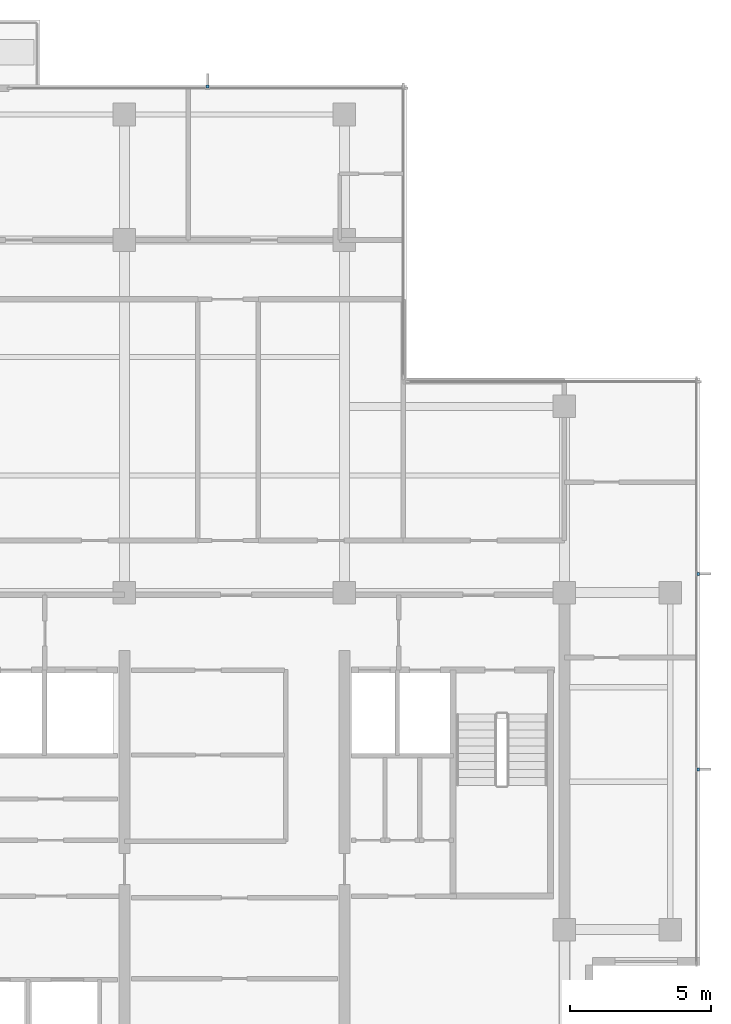
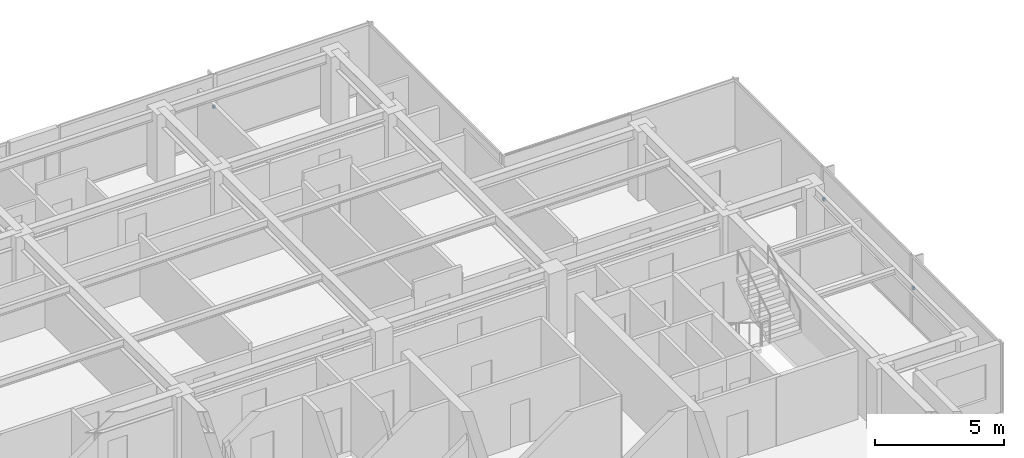
# One storey, part 10 of 11: 3 discrete accessories.
"""IFC4 building model written with IfcOpenShell, lengths in metres."""

from ifc_helpers import new_model, si_unit, direction, frame, origin, place, context, subcontext, project, spatial, polyline, outline, extrude, material, type_object, element, save


model = new_model("IFC4")

# Units and contexts
model_context = context("Model", 3, precision=1e-05, world=origin(), true_north=direction((0.0, 1.0)))
body_context = subcontext(model_context, "Body", "Model", "MODEL_VIEW")
ifc_project = project(units=[si_unit("LENGTHUNIT", "METRE"), si_unit("AREAUNIT", "SQUARE_METRE"), si_unit("VOLUMEUNIT", "CUBIC_METRE"), si_unit("PLANEANGLEUNIT", "RADIAN"), si_unit("MASSUNIT", "GRAM", prefix="KILO")], contexts=[model_context])

# Site, building, storey
site_placement = place(None, origin())
site = spatial("IfcSite", under=ifc_project, at=site_placement, CompositionType="ELEMENT")
building_placement = place(site_placement, origin())
building = spatial("IfcBuilding", under=site, at=building_placement, Name="Qalmaran Belvedere Hotel", CompositionType="ELEMENT")
storey_placement = place(building_placement, frame((0.0, 0.0, 249.39990234375)))
storey = spatial("IfcBuildingStorey", under=building, at=storey_placement, Name="L64", CompositionType="ELEMENT", Elevation=249.39990234375)

# Discrete accessories
ifc_material = material(Name="Stainless Steel 1.4401", Category="steel")
discrete_accessory_type = type_object("IfcDiscreteAccessoryType", Name="BRK-FIN-SS316", PredefinedType="BRACKET", material=ifc_material)
discrete_accessory_1_placement = place(storey_placement, frame((0.0, 0.0, 1.580078125)))
element("IfcDiscreteAccessory", 1, at=discrete_accessory_1_placement, inside=storey, type_object=discrete_accessory_type, Name="L64 Fin Bracket 1", PredefinedType="BRACKET", context=body_context, shape_type="SweptSolid", body=[
    extrude(outline(polyline([(49.4951171875, 14.17822265625), (49.58740234375, 14.17822265625), (49.58740234375, 14.288330078125), (49.4951171875, 14.288330078125), (49.4951171875, 14.17822265625)])), origin(), (0.0, 0.0, 1.0), 0.14013671875),
])
discrete_accessory_2_placement = place(storey_placement, frame((0.0, 0.0, 1.580078125)))
element("IfcDiscreteAccessory", 2, at=discrete_accessory_2_placement, inside=storey, type_object=discrete_accessory_type, Name="L64 Fin Bracket 2", PredefinedType="BRACKET", context=body_context, shape_type="SweptSolid", body=[
    extrude(outline(polyline([(49.4951171875, 21.11181640625), (49.58740234375, 21.11181640625), (49.58740234375, 21.2216796875), (49.4951171875, 21.2216796875), (49.4951171875, 21.11181640625)])), origin(), (0.0, 0.0, 1.0), 0.14013671875),
])
discrete_accessory_3_placement = place(storey_placement, frame((0.0, 0.0, 1.580078125)))
element("IfcDiscreteAccessory", 3, at=discrete_accessory_3_placement, inside=storey, type_object=discrete_accessory_type, Name="L64 Fin Bracket 1", PredefinedType="BRACKET", context=body_context, shape_type="SweptSolid", body=[
    extrude(outline(polyline([(32.205078125, 38.39501953125), (32.205078125, 38.487548828125), (32.094970703125, 38.487548828125), (32.094970703125, 38.39501953125), (32.205078125, 38.39501953125)])), origin(), (0.0, 0.0, 1.0), 0.14013671875),
])

save(model, "model.ifc")
